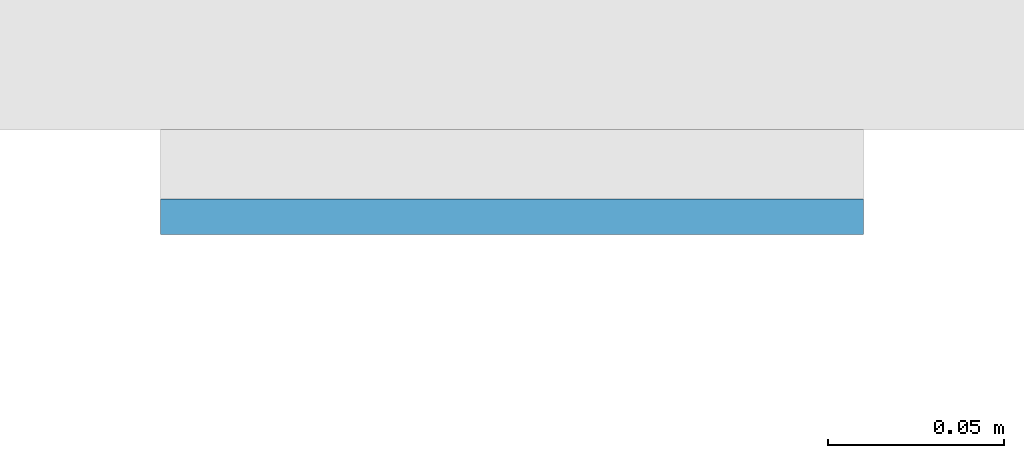
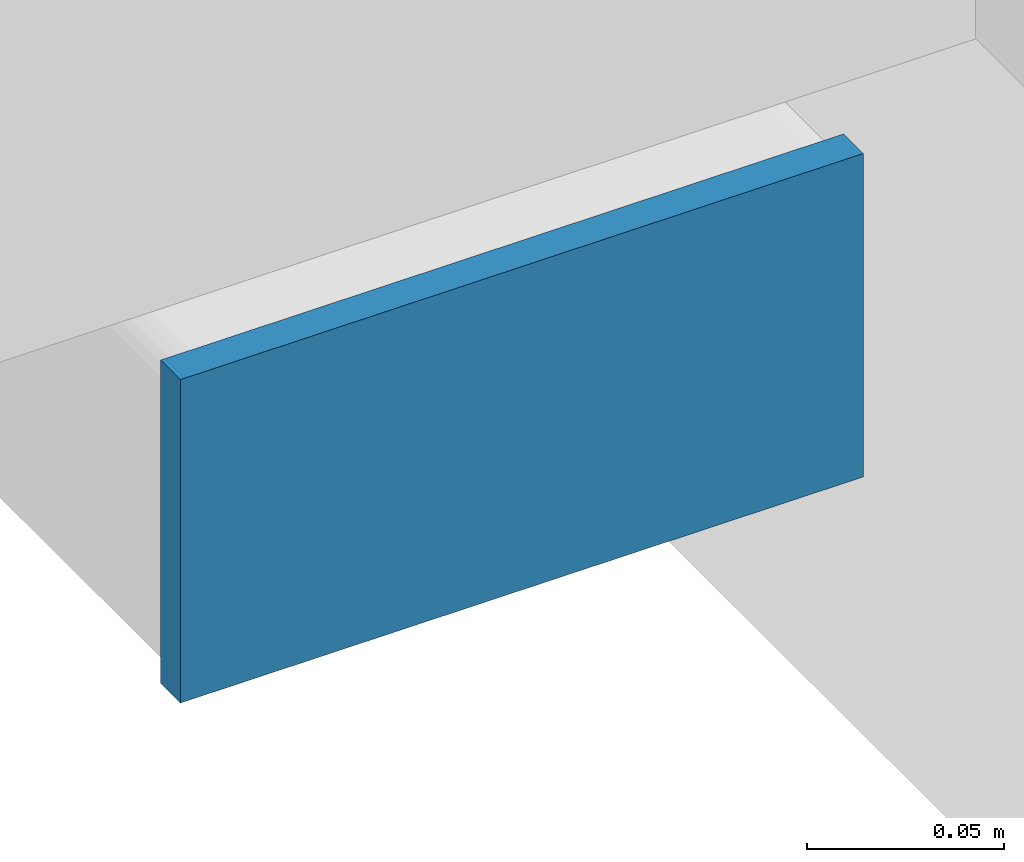
# One storey, part 8 of 20: 1 plate.
"""IFC4 building model written with IfcOpenShell, lengths in metres."""

from ifc_helpers import new_model, si_unit, direction, frame, origin, origin_2d, place, context, subcontext, project, spatial, rectangle, extrude, material, layer, layer_set, type_object, element, save


model = new_model("IFC4")

# Units and contexts
model_context = context("Model", 3, precision=1e-05, world=origin(), true_north=direction((0.0, 1.0)))
body_context = subcontext(model_context, "Body", "Model", "MODEL_VIEW")
ifc_project = project(units=[si_unit("LENGTHUNIT", "METRE"), si_unit("AREAUNIT", "SQUARE_METRE"), si_unit("VOLUMEUNIT", "CUBIC_METRE"), si_unit("PLANEANGLEUNIT", "RADIAN"), si_unit("MASSUNIT", "GRAM", prefix="KILO")], contexts=[model_context])

# Site, building, storey
site_placement = place(None, origin())
site = spatial("IfcSite", under=ifc_project, at=site_placement, CompositionType="ELEMENT")
building_placement = place(site_placement, origin())
building = spatial("IfcBuilding", under=site, at=building_placement, Name="Cleftline Residences", CompositionType="ELEMENT")
storey_placement = place(building_placement, frame((0.0, 0.0, 40.39990234375)))
storey = spatial("IfcBuildingStorey", under=building, at=storey_placement, Name="L09", CompositionType="ELEMENT", Elevation=40.39990234375)

# Plate
ifc_material = material(Name="Steel S355, hot-dip galvanised", Category="steel")
ifc_layer = layer(ifc_material, 0.010009765625)
ifc_layer_set = layer_set([ifc_layer], Name="BAGUETTE CARRIER END PLATE 200X100X10")
plate_type = type_object("IfcPlateType", Name="BAGUETTE CARRIER END PLATE 200X100X10", PredefinedType="USERDEFINED", material=ifc_layer_set)
plate_placement = place(storey_placement, frame((-0.85009765625, 3.695068359375, -0.099853515625), z_axis=(0.0, 0.0, 1.0), x_axis=(-1.0, 0.0, 0.0)))
element("IfcPlate", 1, at=plate_placement, inside=storey, type_object=plate_type, Name="Baguette carrier end plate", ObjectType="BAGUETTE CARRIER END PLATE", PredefinedType="USERDEFINED", context=body_context, shape_type="SweptSolid", body=[
    extrude(rectangle(XDim=0.199951171875, YDim=0.010009765625, at=origin_2d()), origin(), (0.0, 0.0, 1.0), 0.10009765625),
])

save(model, "model.ifc")
